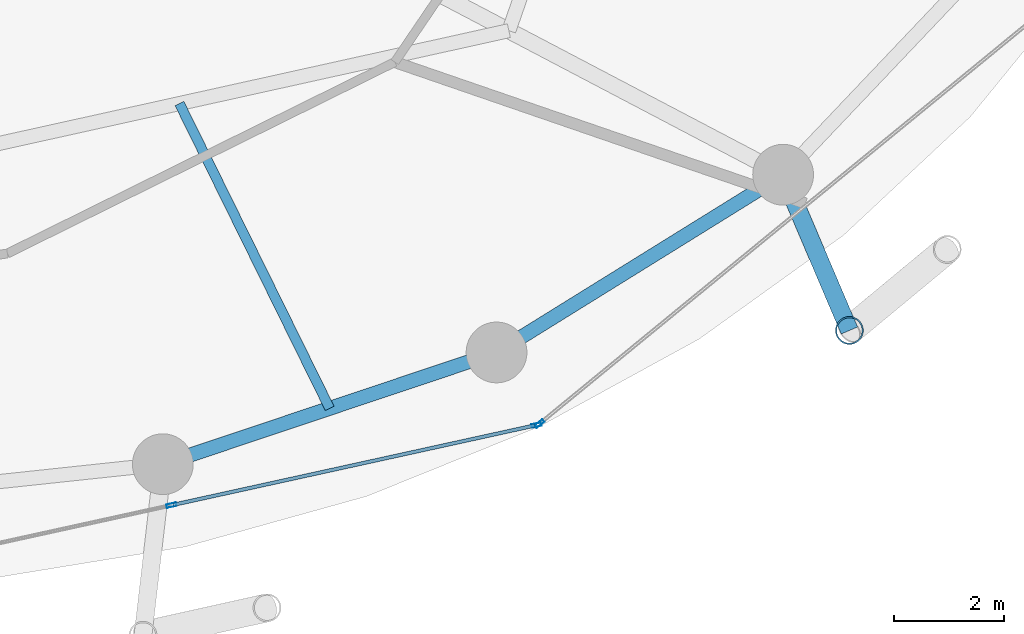
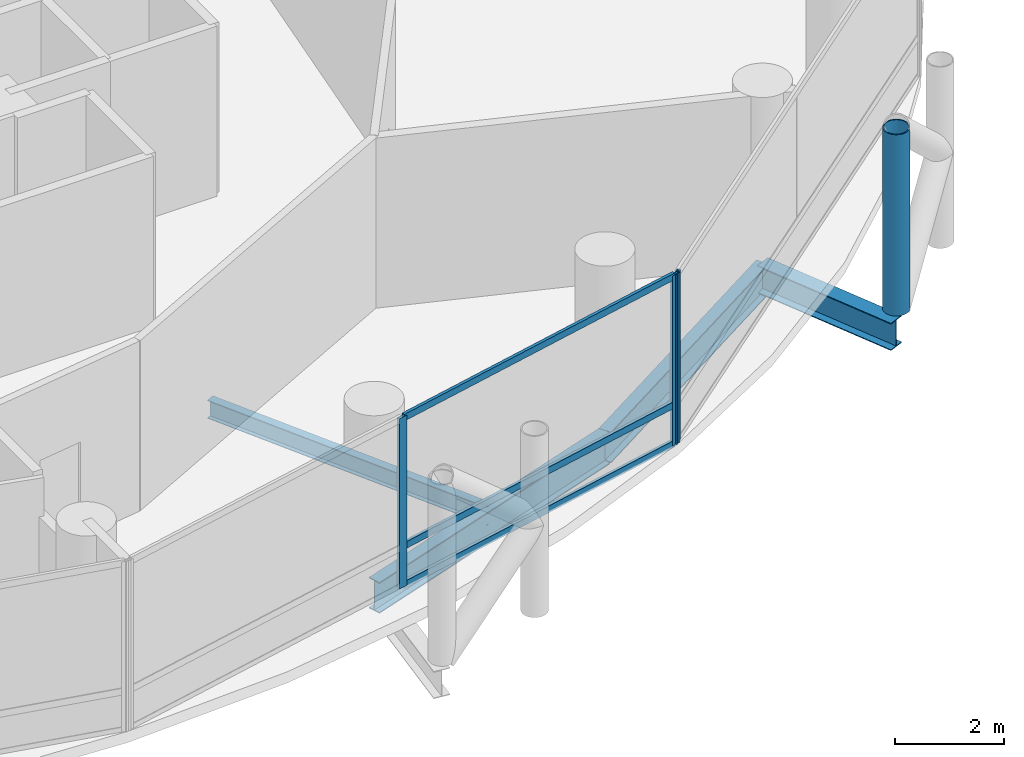
# One storey, part 8 of 24: 7 members, 4 beams, 2 elements without a shape of their own.
"""IFC4 building model written with IfcOpenShell, lengths in metres."""

from ifc_helpers import new_model, si_unit, direction, frame, origin, origin_2d, place, context, subcontext, project, spatial, hollow_rectangle, hollow_circle, i_section, extrude, material, layer, layer_set, material_profile, profile_set, type_object, element, aggregate, save


model = new_model("IFC4")

# Units and contexts
model_context = context("Model", 3, precision=1e-05, world=origin(), true_north=direction((0.0, 1.0)))
body_context = subcontext(model_context, "Body", "Model", "MODEL_VIEW")
ifc_project = project(units=[si_unit("LENGTHUNIT", "METRE"), si_unit("AREAUNIT", "SQUARE_METRE"), si_unit("VOLUMEUNIT", "CUBIC_METRE"), si_unit("PLANEANGLEUNIT", "RADIAN"), si_unit("MASSUNIT", "GRAM", prefix="KILO")], contexts=[model_context])

# Site, building, storey
site_placement = place(None, origin())
site = spatial("IfcSite", under=ifc_project, at=site_placement, CompositionType="ELEMENT")
building_placement = place(site_placement, origin())
building = spatial("IfcBuilding", under=site, at=building_placement, Name="Nuhasar Tower", CompositionType="ELEMENT")
storey_placement = place(building_placement, frame((0.0, 0.0, 73.64990234375)))
storey = spatial("IfcBuildingStorey", under=building, at=storey_placement, Name="L17", CompositionType="ELEMENT", Elevation=73.64990234375)

# Beams
ifc_material_1 = material(Name="Steel S355", Category="steel")
ifc_material_profile_1 = material_profile(ifc_material_1, i_section(OverallWidth=0.177978515625, OverallDepth=0.406005859375, WebThickness=0.0078125, FlangeThickness=0.0126953125, at=origin_2d()), Name="W16X40")
ifc_profile_set_1 = profile_set([ifc_material_profile_1], Name="Steel S355")
beam_type_1 = type_object("IfcBeamType", Name="BM-JST-W16X40", PredefinedType="JOIST", material=ifc_profile_set_1)
beam_1_placement = place(storey_placement, frame((45.783935546875, 13.77001953125, -0.452880859375), z_axis=(0.442126747458, -0.89695258469, 0.0), x_axis=(0.89695258469, 0.442126747458, 0.0)))
element("IfcBeam", 1, at=beam_1_placement, inside=storey, type_object=beam_type_1, Name="L17 Secondary Floor Joist 02", PredefinedType="JOIST", context=body_context, shape_type="SweptSolid", body=[
    extrude(i_section(OverallWidth=0.177978515625, OverallDepth=0.406005859375, WebThickness=0.0078125, FlangeThickness=0.0126953125, at=origin_2d()), origin(), (0.0, 0.0, 1.0), 6.152099609375),
])
ifc_material_profile_2 = material_profile(ifc_material_1, i_section(OverallWidth=0.256103515625, OverallDepth=0.693115234375, WebThickness=0.014404296875, FlangeThickness=0.023681640625, at=origin_2d()), Name="W27X114")
ifc_profile_set_2 = profile_set([ifc_material_profile_2], Name="Steel S355")
beam_type_2 = type_object("IfcBeamType", Name="BM-RING-W27X114", PredefinedType="SPANDREL", material=ifc_profile_set_2)
beam_2_placement = place(storey_placement, frame((45.48291015625, 7.239990234375, -0.596923828125), z_axis=(0.94826097201, 0.317491935271, 0.0), x_axis=(-0.317491935271, 0.94826097201, 0.0)))
element("IfcBeam", 2, at=beam_2_placement, inside=storey, type_object=beam_type_2, Name="L17 Perimeter Ring Spandrel 20", PredefinedType="SPANDREL", context=body_context, shape_type="SweptSolid", body=[
    extrude(i_section(OverallWidth=0.256103515625, OverallDepth=0.693115234375, WebThickness=0.014404296875, FlangeThickness=0.023681640625, at=origin_2d()), origin(), (0.0, 0.0, 1.0), 6.37158203125),
])
beam_3_placement = place(storey_placement, frame((51.52490234375, 9.262939453125, -0.596923828125), z_axis=(0.849795216549, 0.527112976439, 0.0), x_axis=(-0.527112976439, 0.849795216549, 0.0)))
element("IfcBeam", 3, at=beam_3_placement, inside=storey, type_object=beam_type_2, Name="L17 Perimeter Ring Spandrel 21", PredefinedType="SPANDREL", context=body_context, shape_type="SweptSolid", body=[
    extrude(i_section(OverallWidth=0.256103515625, OverallDepth=0.693115234375, WebThickness=0.014404296875, FlangeThickness=0.023681640625, at=origin_2d()), origin(), (0.0, 0.0, 1.0), 6.10498046875),
])
ifc_material_profile_3 = material_profile(ifc_material_1, i_section(OverallWidth=0.323974609375, OverallDepth=0.611083984375, WebThickness=0.0126953125, FlangeThickness=0.01904296875, at=origin_2d()), Name="W24X104")
ifc_profile_set_3 = profile_set([ifc_material_profile_3], Name="Steel S355")
beam_type_3 = type_object("IfcBeamType", Name="BM-TIE-W24X104", PredefinedType="BEAM", material=ifc_profile_set_3)
beam_4_placement = place(storey_placement, frame((56.712890625, 12.48095703125, -0.554931640625), z_axis=(0.391601084021, -0.920135093882, 0.0), x_axis=(0.920135093882, 0.391601084021, 0.0)))
element("IfcBeam", 4, at=beam_4_placement, inside=storey, type_object=beam_type_3, Name="L17 Exoskeleton Node Tie Beam 11", PredefinedType="BEAM", context=body_context, shape_type="SweptSolid", body=[
    extrude(i_section(OverallWidth=0.323974609375, OverallDepth=0.611083984375, WebThickness=0.0126953125, FlangeThickness=0.01904296875, at=origin_2d()), origin(), (0.0, 0.0, 1.0), 3.06494140625),
])

# Curtain wall, members
ifc_material_2 = material(Name="Aluminium 6063-T6", Category="aluminium")
ifc_layer = layer(ifc_material_2, 0.199951171875)
ifc_layer_set = layer_set([ifc_layer], Name="Aluminium 6063-T6")
curtain_wall_type = type_object("IfcCurtainWallType", Name="CW-Z1-OFF", PredefinedType="NOTDEFINED", material=ifc_layer_set)
curtain_wall_1_placement = place(storey_placement, origin())
curtain_wall_1 = element("IfcCurtainWall", 5, at=curtain_wall_1_placement, inside=storey, type_object=curtain_wall_type, Name="L17 Unitised Curtain Wall 10", PredefinedType="NOTDEFINED")
ifc_material_profile_4 = material_profile(ifc_material_2, hollow_rectangle(XDim=0.06494140625, YDim=0.179931640625, WallThickness=0.0048828125, at=origin_2d()), Name="CWM-2")
ifc_profile_set_4 = profile_set([ifc_material_profile_4], Name="Aluminium 6063-T6")
member_type_1 = type_object("IfcMemberType", Name="CW-MUL-S2", PredefinedType="MULLION", material=ifc_profile_set_4)
member_1_placement = place(storey_placement, frame((45.639892578125, 6.49755859375, 0.0), z_axis=(0.0, 0.0, 1.0), x_axis=(-0.214398737637, 0.976746221544, 0.0)))
member_1 = element("IfcMember", 6, at=member_1_placement, type_object=member_type_1, Name="CW-Z1 mullion 2", PredefinedType="MULLION", context=body_context, shape_type="SweptSolid", body=[
    extrude(hollow_rectangle(XDim=0.06494140625, YDim=0.179931640625, WallThickness=0.0048828125, at=origin_2d()), origin(), (0.0, 0.0, 1.0), 3.800048828125),
])
member_2_placement = place(storey_placement, frame((52.248291015625, 7.947998046875, 0.0), z_axis=(0.0, 0.0, 1.0), x_axis=(-0.214398737637, 0.976746221544, 0.0)))
member_2 = element("IfcMember", 7, at=member_2_placement, type_object=member_type_1, Name="CW-Z1 mullion 3", PredefinedType="MULLION", context=body_context, shape_type="SweptSolid", body=[
    extrude(hollow_rectangle(XDim=0.06494140625, YDim=0.179931640625, WallThickness=0.0048828125, at=origin_2d()), origin(), (0.0, 0.0, 1.0), 3.800048828125),
])

# Curtain wall, member
curtain_wall_2_placement = place(storey_placement, origin())
curtain_wall_2 = element("IfcCurtainWall", 8, at=curtain_wall_2_placement, inside=storey, type_object=curtain_wall_type, Name="L17 Unitised Curtain Wall 11", PredefinedType="NOTDEFINED")
member_3_placement = place(storey_placement, frame((52.30517578125, 7.9755859375, 0.0), z_axis=(0.0, 0.0, 1.0), x_axis=(-0.633744593376, 0.773542364946, 0.0)))
member_3 = element("IfcMember", 9, at=member_3_placement, type_object=member_type_1, Name="CW-Z1 mullion 1", PredefinedType="MULLION", context=body_context, shape_type="SweptSolid", body=[
    extrude(hollow_rectangle(XDim=0.06494140625, YDim=0.179931640625, WallThickness=0.0048828125, at=origin_2d()), origin(), (0.0, 0.0, 1.0), 3.800048828125),
])
aggregate(curtain_wall_2, [member_3])

# Member
ifc_material_profile_5 = material_profile(ifc_material_2, hollow_rectangle(XDim=0.06494140625, YDim=0.14990234375, WallThickness=0.00439453125, at=origin_2d()), Name="CWT-2")
ifc_profile_set_5 = profile_set([ifc_material_profile_5], Name="Aluminium 6063-T6")
member_type_2 = type_object("IfcMemberType", Name="CW-TRN-S2", PredefinedType="USERDEFINED", material=ifc_profile_set_5)
member_4_placement = place(storey_placement, frame((45.671630859375, 6.50439453125, 0.03271484375), z_axis=(0.976741923778, 0.214418316228, 0.0), x_axis=(-0.214418316228, 0.976741923778, 0.0)))
member_4 = element("IfcMember", 10, at=member_4_placement, type_object=member_type_2, Name="CW-Z1 transom 2.1", ObjectType="TRANSOM", PredefinedType="USERDEFINED", context=body_context, shape_type="SweptSolid", body=[
    extrude(hollow_rectangle(XDim=0.06494140625, YDim=0.14990234375, WallThickness=0.00439453125, at=origin_2d()), origin(), (0.0, 0.0, 1.0), 6.70068359375),
])

member_5_placement = place(storey_placement, frame((45.671630859375, 6.50439453125, 0.900146484375), z_axis=(0.976741923778, 0.214418316228, 0.0), x_axis=(-0.214418316228, 0.976741923778, 0.0)))
member_5 = element("IfcMember", 11, at=member_5_placement, type_object=member_type_2, Name="CW-Z1 transom 2.2", ObjectType="TRANSOM", PredefinedType="USERDEFINED", context=body_context, shape_type="SweptSolid", body=[
    extrude(hollow_rectangle(XDim=0.06494140625, YDim=0.14990234375, WallThickness=0.00439453125, at=origin_2d()), origin(), (0.0, 0.0, 1.0), 6.70068359375),
])

member_6_placement = place(storey_placement, frame((45.671630859375, 6.50439453125, 3.767578125), z_axis=(0.976741923778, 0.214418316228, 0.0), x_axis=(-0.214418316228, 0.976741923778, 0.0)))
member_6 = element("IfcMember", 12, at=member_6_placement, type_object=member_type_2, Name="CW-Z1 transom 2.3", ObjectType="TRANSOM", PredefinedType="USERDEFINED", context=body_context, shape_type="SweptSolid", body=[
    extrude(hollow_rectangle(XDim=0.06494140625, YDim=0.14990234375, WallThickness=0.00439453125, at=origin_2d()), origin(), (0.0, 0.0, 1.0), 6.70068359375),
])

aggregate(curtain_wall_1, [member_1, member_2, member_4, member_5, member_6])

ifc_material_3 = material(Name="Steel S460", Category="steel")
ifc_material_profile_6 = material_profile(ifc_material_3, hollow_circle(Radius=0.25390625, WallThickness=0.025390625, at=origin_2d()), Name="HSS508X25.4")
ifc_profile_set_6 = profile_set([ifc_material_profile_6], Name="Steel S460")
member_type_3 = type_object("IfcMemberType", Name="EXO-BRONZE-508", PredefinedType="BRACE", material=ifc_profile_set_6)
member_7_placement = place(storey_placement, frame((57.9130859375, 9.660888671875, 0.0), z_axis=(0.0, 0.0, 1.0), x_axis=(1.0, 0.0, 0.0)))
element("IfcMember", 13, at=member_7_placement, inside=storey, type_object=member_type_3, Name="L17 Exoskeleton Chord Column EC-11A", PredefinedType="BRACE", context=body_context, shape_type="SweptSolid", body=[
    extrude(hollow_circle(Radius=0.25390625, WallThickness=0.025390625, at=origin_2d()), origin(), (0.0, 0.0, 1.0), 4.050048828125),
])

save(model, "model.ifc")
